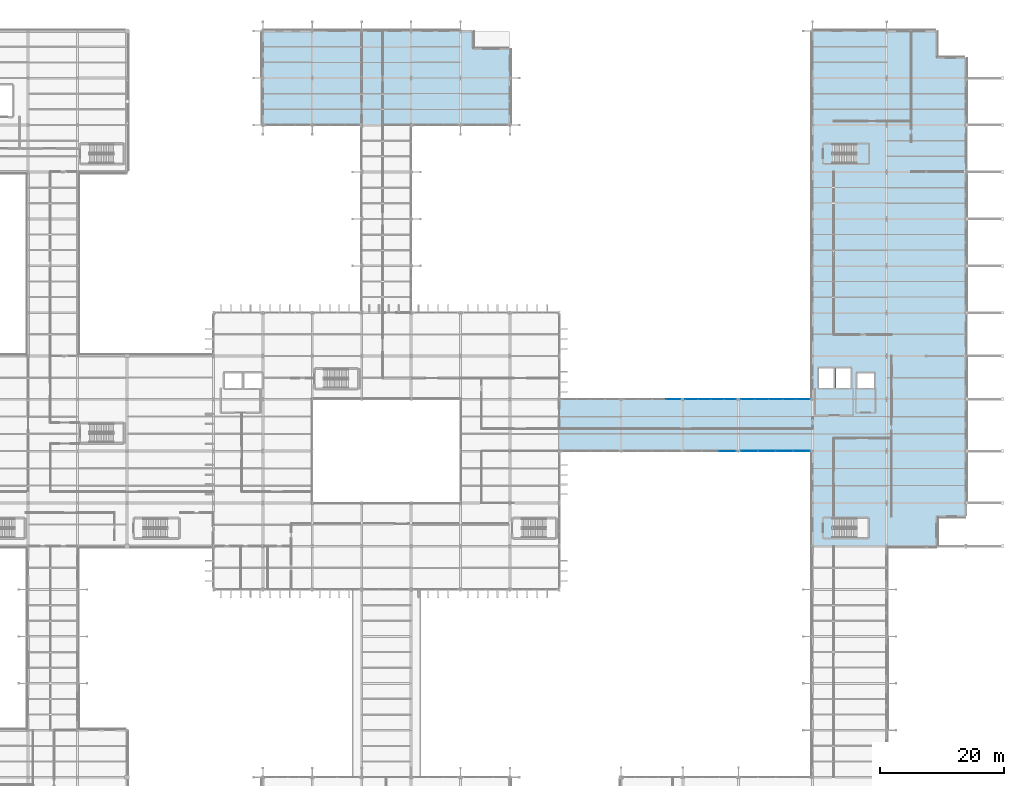
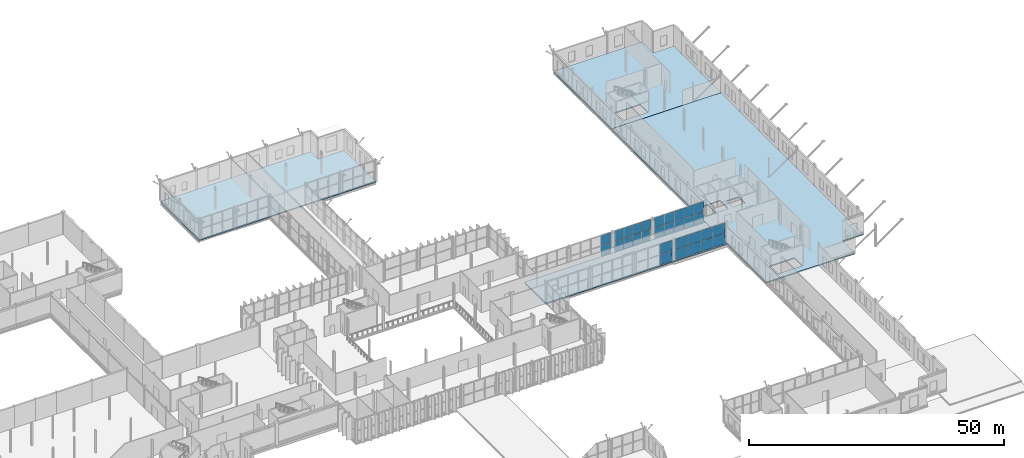
# One storey, part 106 of 147: 30 plates, 5 slabs, 6 elements without a shape of their own.
"""IFC4 building model written with IfcOpenShell, lengths in metres."""

from ifc_helpers import new_model, si_unit, direction, frame, origin, origin_2d, place, context, subcontext, project, spatial, polyline, rectangle, outline, extrude, material, layer, layer_set, type_object, element, aggregate, save


model = new_model("IFC4")

# Units and contexts
model_context = context("Model", 3, precision=1e-05, world=origin(), true_north=direction((0.0, 1.0)))
body_context = subcontext(model_context, "Body", "Model", "MODEL_VIEW")
ifc_project = project(units=[si_unit("LENGTHUNIT", "METRE"), si_unit("AREAUNIT", "SQUARE_METRE"), si_unit("VOLUMEUNIT", "CUBIC_METRE"), si_unit("PLANEANGLEUNIT", "RADIAN"), si_unit("MASSUNIT", "GRAM", prefix="KILO")], contexts=[model_context])

# Site, building, storey
site_placement = place(None, origin())
site = spatial("IfcSite", under=ifc_project, at=site_placement, CompositionType="ELEMENT")
building_placement = place(site_placement, origin())
building = spatial("IfcBuilding", under=site, at=building_placement, Name="Vekula Escarpment Museum", CompositionType="ELEMENT")
storey_placement = place(building_placement, frame((0.0, 0.0, 7.800048828125)))
storey = spatial("IfcBuildingStorey", under=building, at=storey_placement, Name="L02", CompositionType="ELEMENT", Elevation=7.800048828125)

# Curtain wall, plates
ifc_material_1 = material(Name="Aluminium thermally broken framing", Category="aluminium")
ifc_layer_1 = layer(ifc_material_1, 0.159912109375)
ifc_layer_set_1 = layer_set([ifc_layer_1], Name="Aluminium thermally broken framing")
curtain_wall_type_1 = type_object("IfcCurtainWallType", Name="CW-SYS-02", PredefinedType="NOTDEFINED", material=ifc_layer_set_1)
curtain_wall_1_placement = place(storey_placement, origin())
curtain_wall_1 = element("IfcCurtainWall", 1, at=curtain_wall_1_placement, inside=storey, type_object=curtain_wall_type_1, Name="Curtain Wall CW-L02-072", PredefinedType="NOTDEFINED")
ifc_material_2 = material(Name="Double solar-control low-E glass", Category="glass")
ifc_layer_2 = layer(ifc_material_2, 0.028076171875)
ifc_layer_set_2 = layer_set([ifc_layer_2], Name="Double solar-control low-E glass")
plate_type_1 = type_object("IfcPlateType", Name="CW-PNL-28", PredefinedType="CURTAIN_PANEL", material=ifc_layer_set_2)
plate_1_placement = place(storey_placement, frame((144.4638671875, 76.39990234375, 0.06494140625), z_axis=(0.0, 0.0, 1.0), x_axis=(-1.0, 0.0, 0.0)))
plate_1 = element("IfcPlate", 2, at=plate_1_placement, type_object=plate_type_1, Name="CW-02 panel 1.1", PredefinedType="CURTAIN_PANEL", context=body_context, shape_type="SweptSolid", body=[
    extrude(rectangle(XDim=2.222412109375, YDim=0.028076171875, at=origin_2d()), origin(), (0.0, 0.0, 1.0), 2.4775390625),
])
plate_2_placement = place(storey_placement, frame((144.4638671875, 76.39990234375, 2.607421875), z_axis=(0.0, 0.0, 1.0), x_axis=(-1.0, 0.0, 0.0)))
plate_2 = element("IfcPlate", 3, at=plate_2_placement, type_object=plate_type_1, Name="CW-02 panel 1.2", PredefinedType="CURTAIN_PANEL", context=body_context, shape_type="SweptSolid", body=[
    extrude(rectangle(XDim=2.222412109375, YDim=0.028076171875, at=origin_2d()), origin(), (0.0, 0.0, 1.0), 2.4775390625),
])
aggregate(curtain_wall_1, [plate_1, plate_2])

ifc_material_3 = material(Name="Aluminium thermally broken framing", Category="aluminium")
ifc_layer_3 = layer(ifc_material_3, 0.159912109375)
ifc_layer_set_3 = layer_set([ifc_layer_3], Name="Aluminium thermally broken framing")
curtain_wall_type_2 = type_object("IfcCurtainWallType", Name="CW-SYS-05", PredefinedType="NOTDEFINED", material=ifc_layer_set_3)
curtain_wall_2_placement = place(storey_placement, origin())
curtain_wall_2 = element("IfcCurtainWall", 4, at=curtain_wall_2_placement, inside=storey, type_object=curtain_wall_type_2, Name="Curtain Wall CW-L02-065", PredefinedType="NOTDEFINED")
ifc_material_4 = material(Name="Acoustic laminated double low-E glass", Category="glass")
ifc_layer_4 = layer(ifc_material_4, 0.031982421875)
ifc_layer_set_4 = layer_set([ifc_layer_4], Name="Acoustic laminated double low-E glass")
plate_type_2 = type_object("IfcPlateType", Name="CW-PNL-32", PredefinedType="CURTAIN_PANEL", material=ifc_layer_set_4)
plate_3_placement = place(storey_placement, frame((153.24365234375, 68.0, 0.06494140625), z_axis=(0.0, 0.0, 1.0), x_axis=(1.0, 0.0, 0.0)))
plate_3 = element("IfcPlate", 5, at=plate_3_placement, type_object=plate_type_2, Name="CW-05 panel 3.1", PredefinedType="CURTAIN_PANEL", context=body_context, shape_type="SweptSolid", body=[
    extrude(rectangle(XDim=2.66259765625, YDim=0.031982421875, at=origin_2d()), origin(), (0.0, 0.0, 1.0), 2.4775390625),
])
plate_4_placement = place(storey_placement, frame((153.24365234375, 68.0, 2.607421875), z_axis=(0.0, 0.0, 1.0), x_axis=(1.0, 0.0, 0.0)))
plate_4 = element("IfcPlate", 6, at=plate_4_placement, type_object=plate_type_2, Name="CW-05 panel 3.2", PredefinedType="CURTAIN_PANEL", context=body_context, shape_type="SweptSolid", body=[
    extrude(rectangle(XDim=2.66259765625, YDim=0.031982421875, at=origin_2d()), origin(), (0.0, 0.0, 1.0), 2.4775390625),
])
aggregate(curtain_wall_2, [plate_3, plate_4])

ifc_material_5 = material(Name="Aluminium thermally broken framing", Category="aluminium")
ifc_layer_5 = layer(ifc_material_5, 0.139892578125)
ifc_layer_set_5 = layer_set([ifc_layer_5], Name="Aluminium thermally broken framing")
curtain_wall_type_3 = type_object("IfcCurtainWallType", Name="CW-SYS-06", PredefinedType="NOTDEFINED", material=ifc_layer_set_5)
curtain_wall_3_placement = place(storey_placement, origin())
curtain_wall_3 = element("IfcCurtainWall", 7, at=curtain_wall_3_placement, inside=storey, type_object=curtain_wall_type_3, Name="Curtain Wall CW-L02-066", PredefinedType="NOTDEFINED")
ifc_material_6 = material(Name="Triple UV-filtered museum gallery glass", Category="glass")
ifc_layer_6 = layer(ifc_material_6, 0.035888671875)
ifc_layer_set_6 = layer_set([ifc_layer_6], Name="Triple UV-filtered museum gallery glass")
plate_type_3 = type_object("IfcPlateType", Name="CW-PNL-36", PredefinedType="CURTAIN_PANEL", material=ifc_layer_set_6)
plate_5_placement = place(storey_placement, frame((156.7861328125, 68.0, 0.06494140625), z_axis=(0.0, 0.0, 1.0), x_axis=(1.0, 0.0, 0.0)))
plate_5 = element("IfcPlate", 8, at=plate_5_placement, type_object=plate_type_3, Name="CW-06 panel 1.1", PredefinedType="CURTAIN_PANEL", context=body_context, shape_type="SweptSolid", body=[
    extrude(rectangle(XDim=2.722412109375, YDim=0.035888671875, at=origin_2d()), origin(), (0.0, 0.0, 1.0), 2.4775390625),
])
plate_6_placement = place(storey_placement, frame((156.7861328125, 68.0, 2.607421875), z_axis=(0.0, 0.0, 1.0), x_axis=(1.0, 0.0, 0.0)))
plate_6 = element("IfcPlate", 9, at=plate_6_placement, type_object=plate_type_3, Name="CW-06 panel 1.2", PredefinedType="CURTAIN_PANEL", context=body_context, shape_type="SweptSolid", body=[
    extrude(rectangle(XDim=2.722412109375, YDim=0.035888671875, at=origin_2d()), origin(), (0.0, 0.0, 1.0), 2.4775390625),
])
plate_7_placement = place(storey_placement, frame((159.590087890625, 68.0, 0.06494140625), z_axis=(0.0, 0.0, 1.0), x_axis=(1.0, 0.0, 0.0)))
plate_7 = element("IfcPlate", 10, at=plate_7_placement, type_object=plate_type_3, Name="CW-06 panel 2.1", PredefinedType="CURTAIN_PANEL", context=body_context, shape_type="SweptSolid", body=[
    extrude(rectangle(XDim=2.7548828125, YDim=0.035888671875, at=origin_2d()), origin(), (0.0, 0.0, 1.0), 2.4775390625),
])
plate_8_placement = place(storey_placement, frame((159.590087890625, 68.0, 2.607421875), z_axis=(0.0, 0.0, 1.0), x_axis=(1.0, 0.0, 0.0)))
plate_8 = element("IfcPlate", 11, at=plate_8_placement, type_object=plate_type_3, Name="CW-06 panel 2.2", PredefinedType="CURTAIN_PANEL", context=body_context, shape_type="SweptSolid", body=[
    extrude(rectangle(XDim=2.7548828125, YDim=0.035888671875, at=origin_2d()), origin(), (0.0, 0.0, 1.0), 2.4775390625),
])
plate_9_placement = place(storey_placement, frame((162.409912109375, 68.0, 0.06494140625), z_axis=(0.0, 0.0, 1.0), x_axis=(1.0, 0.0, 0.0)))
plate_9 = element("IfcPlate", 12, at=plate_9_placement, type_object=plate_type_3, Name="CW-06 panel 3.1", PredefinedType="CURTAIN_PANEL", context=body_context, shape_type="SweptSolid", body=[
    extrude(rectangle(XDim=2.7548828125, YDim=0.035888671875, at=origin_2d()), origin(), (0.0, 0.0, 1.0), 2.4775390625),
])
plate_10_placement = place(storey_placement, frame((162.409912109375, 68.0, 2.607421875), z_axis=(0.0, 0.0, 1.0), x_axis=(1.0, 0.0, 0.0)))
plate_10 = element("IfcPlate", 13, at=plate_10_placement, type_object=plate_type_3, Name="CW-06 panel 3.2", PredefinedType="CURTAIN_PANEL", context=body_context, shape_type="SweptSolid", body=[
    extrude(rectangle(XDim=2.7548828125, YDim=0.035888671875, at=origin_2d()), origin(), (0.0, 0.0, 1.0), 2.4775390625),
])
plate_11_placement = place(storey_placement, frame((165.2138671875, 68.0, 0.06494140625), z_axis=(0.0, 0.0, 1.0), x_axis=(1.0, 0.0, 0.0)))
plate_11 = element("IfcPlate", 14, at=plate_11_placement, type_object=plate_type_3, Name="CW-06 panel 4.1", PredefinedType="CURTAIN_PANEL", context=body_context, shape_type="SweptSolid", body=[
    extrude(rectangle(XDim=2.722412109375, YDim=0.035888671875, at=origin_2d()), origin(), (0.0, 0.0, 1.0), 2.4775390625),
])
plate_12_placement = place(storey_placement, frame((165.2138671875, 68.0, 2.607421875), z_axis=(0.0, 0.0, 1.0), x_axis=(1.0, 0.0, 0.0)))
plate_12 = element("IfcPlate", 15, at=plate_12_placement, type_object=plate_type_3, Name="CW-06 panel 4.2", PredefinedType="CURTAIN_PANEL", context=body_context, shape_type="SweptSolid", body=[
    extrude(rectangle(XDim=2.722412109375, YDim=0.035888671875, at=origin_2d()), origin(), (0.0, 0.0, 1.0), 2.4775390625),
])
aggregate(curtain_wall_3, [plate_5, plate_6, plate_7, plate_8, plate_9, plate_10, plate_11, plate_12])

ifc_material_7 = material(Name="Aluminium thermally broken framing", Category="aluminium")
ifc_layer_7 = layer(ifc_material_7, 0.169921875)
ifc_layer_set_7 = layer_set([ifc_layer_7], Name="Aluminium thermally broken framing")
curtain_wall_type_4 = type_object("IfcCurtainWallType", Name="CW-SYS-10", PredefinedType="NOTDEFINED", material=ifc_layer_set_7)
curtain_wall_4_placement = place(storey_placement, origin())
curtain_wall_4 = element("IfcCurtainWall", 16, at=curtain_wall_4_placement, inside=storey, type_object=curtain_wall_type_4, Name="Curtain Wall CW-L02-070", PredefinedType="NOTDEFINED")
plate_13_placement = place(storey_placement, frame((165.495849609375, 76.39990234375, 0.06494140625), z_axis=(0.0, 0.0, 1.0), x_axis=(-1.0, 0.0, 0.0)))
plate_13 = element("IfcPlate", 17, at=plate_13_placement, type_object=plate_type_3, Name="CW-10 panel 1.1", PredefinedType="CURTAIN_PANEL", context=body_context, shape_type="SweptSolid", body=[
    extrude(rectangle(XDim=2.158447265625, YDim=0.035888671875, at=origin_2d()), origin(), (0.0, 0.0, 1.0), 2.4775390625),
])
plate_14_placement = place(storey_placement, frame((165.495849609375, 76.39990234375, 2.607421875), z_axis=(0.0, 0.0, 1.0), x_axis=(-1.0, 0.0, 0.0)))
plate_14 = element("IfcPlate", 18, at=plate_14_placement, type_object=plate_type_3, Name="CW-10 panel 1.2", PredefinedType="CURTAIN_PANEL", context=body_context, shape_type="SweptSolid", body=[
    extrude(rectangle(XDim=2.158447265625, YDim=0.035888671875, at=origin_2d()), origin(), (0.0, 0.0, 1.0), 2.4775390625),
])
plate_15_placement = place(storey_placement, frame((163.256103515625, 76.39990234375, 0.06494140625), z_axis=(0.0, 0.0, 1.0), x_axis=(-1.0, 0.0, 0.0)))
plate_15 = element("IfcPlate", 19, at=plate_15_placement, type_object=plate_type_3, Name="CW-10 panel 2.1", PredefinedType="CURTAIN_PANEL", context=body_context, shape_type="SweptSolid", body=[
    extrude(rectangle(XDim=2.19091796875, YDim=0.035888671875, at=origin_2d()), origin(), (0.0, 0.0, 1.0), 2.4775390625),
])
plate_16_placement = place(storey_placement, frame((163.256103515625, 76.39990234375, 2.607421875), z_axis=(0.0, 0.0, 1.0), x_axis=(-1.0, 0.0, 0.0)))
plate_16 = element("IfcPlate", 20, at=plate_16_placement, type_object=plate_type_3, Name="CW-10 panel 2.2", PredefinedType="CURTAIN_PANEL", context=body_context, shape_type="SweptSolid", body=[
    extrude(rectangle(XDim=2.19091796875, YDim=0.035888671875, at=origin_2d()), origin(), (0.0, 0.0, 1.0), 2.4775390625),
])
plate_17_placement = place(storey_placement, frame((161.0, 76.39990234375, 0.06494140625), z_axis=(0.0, 0.0, 1.0), x_axis=(-1.0, 0.0, 0.0)))
plate_17 = element("IfcPlate", 21, at=plate_17_placement, type_object=plate_type_3, Name="CW-10 panel 3.1", PredefinedType="CURTAIN_PANEL", context=body_context, shape_type="SweptSolid", body=[
    extrude(rectangle(XDim=2.19091796875, YDim=0.035888671875, at=origin_2d()), origin(), (0.0, 0.0, 1.0), 2.4775390625),
])
plate_18_placement = place(storey_placement, frame((161.0, 76.39990234375, 2.607421875), z_axis=(0.0, 0.0, 1.0), x_axis=(-1.0, 0.0, 0.0)))
plate_18 = element("IfcPlate", 22, at=plate_18_placement, type_object=plate_type_3, Name="CW-10 panel 3.2", PredefinedType="CURTAIN_PANEL", context=body_context, shape_type="SweptSolid", body=[
    extrude(rectangle(XDim=2.19091796875, YDim=0.035888671875, at=origin_2d()), origin(), (0.0, 0.0, 1.0), 2.4775390625),
])
plate_19_placement = place(storey_placement, frame((158.743896484375, 76.39990234375, 0.06494140625), z_axis=(0.0, 0.0, 1.0), x_axis=(-1.0, 0.0, 0.0)))
plate_19 = element("IfcPlate", 23, at=plate_19_placement, type_object=plate_type_3, Name="CW-10 panel 4.1", PredefinedType="CURTAIN_PANEL", context=body_context, shape_type="SweptSolid", body=[
    extrude(rectangle(XDim=2.19091796875, YDim=0.035888671875, at=origin_2d()), origin(), (0.0, 0.0, 1.0), 2.4775390625),
])
plate_20_placement = place(storey_placement, frame((158.743896484375, 76.39990234375, 2.607421875), z_axis=(0.0, 0.0, 1.0), x_axis=(-1.0, 0.0, 0.0)))
plate_20 = element("IfcPlate", 24, at=plate_20_placement, type_object=plate_type_3, Name="CW-10 panel 4.2", PredefinedType="CURTAIN_PANEL", context=body_context, shape_type="SweptSolid", body=[
    extrude(rectangle(XDim=2.19091796875, YDim=0.035888671875, at=origin_2d()), origin(), (0.0, 0.0, 1.0), 2.4775390625),
])
plate_21_placement = place(storey_placement, frame((156.504150390625, 76.39990234375, 0.06494140625), z_axis=(0.0, 0.0, 1.0), x_axis=(-1.0, 0.0, 0.0)))
plate_21 = element("IfcPlate", 25, at=plate_21_placement, type_object=plate_type_3, Name="CW-10 panel 5.1", PredefinedType="CURTAIN_PANEL", context=body_context, shape_type="SweptSolid", body=[
    extrude(rectangle(XDim=2.158447265625, YDim=0.035888671875, at=origin_2d()), origin(), (0.0, 0.0, 1.0), 2.4775390625),
])
plate_22_placement = place(storey_placement, frame((156.504150390625, 76.39990234375, 2.607421875), z_axis=(0.0, 0.0, 1.0), x_axis=(-1.0, 0.0, 0.0)))
plate_22 = element("IfcPlate", 26, at=plate_22_placement, type_object=plate_type_3, Name="CW-10 panel 5.2", PredefinedType="CURTAIN_PANEL", context=body_context, shape_type="SweptSolid", body=[
    extrude(rectangle(XDim=2.158447265625, YDim=0.035888671875, at=origin_2d()), origin(), (0.0, 0.0, 1.0), 2.4775390625),
])
aggregate(curtain_wall_4, [plate_13, plate_14, plate_15, plate_16, plate_17, plate_18, plate_19, plate_20, plate_21, plate_22])

ifc_material_8 = material(Name="Aluminium thermally broken framing", Category="aluminium")
ifc_layer_8 = layer(ifc_material_8, 0.159912109375)
ifc_layer_set_8 = layer_set([ifc_layer_8], Name="Aluminium thermally broken framing")
curtain_wall_type_5 = type_object("IfcCurtainWallType", Name="CW-SYS-01", PredefinedType="NOTDEFINED", material=ifc_layer_set_8)
curtain_wall_5_placement = place(storey_placement, origin())
curtain_wall_5 = element("IfcCurtainWall", 27, at=curtain_wall_5_placement, inside=storey, type_object=curtain_wall_type_5, Name="Curtain Wall CW-L02-071", PredefinedType="NOTDEFINED")
ifc_material_9 = material(Name="Insulated bronze spandrel glass panel", Category="glass")
ifc_layer_9 = layer(ifc_material_9, 0.0400390625)
ifc_layer_set_9 = layer_set([ifc_layer_9], Name="Insulated bronze spandrel glass panel")
plate_type_4 = type_object("IfcPlateType", Name="CW-PNL-40", PredefinedType="CURTAIN_PANEL", material=ifc_layer_set_9)
plate_23_placement = place(storey_placement, frame((153.5888671875, 76.39990234375, 0.06494140625), z_axis=(0.0, 0.0, 1.0), x_axis=(-1.0, 0.0, 0.0)))
plate_23 = element("IfcPlate", 28, at=plate_23_placement, type_object=plate_type_4, Name="CW-01 panel 1.1", PredefinedType="CURTAIN_PANEL", context=body_context, shape_type="SweptSolid", body=[
    extrude(rectangle(XDim=1.972412109375, YDim=0.0400390625, at=origin_2d()), origin(), (0.0, 0.0, 1.0), 2.4775390625),
])
plate_24_placement = place(storey_placement, frame((153.5888671875, 76.39990234375, 2.607421875), z_axis=(0.0, 0.0, 1.0), x_axis=(-1.0, 0.0, 0.0)))
plate_24 = element("IfcPlate", 29, at=plate_24_placement, type_object=plate_type_4, Name="CW-01 panel 1.2", PredefinedType="CURTAIN_PANEL", context=body_context, shape_type="SweptSolid", body=[
    extrude(rectangle(XDim=1.972412109375, YDim=0.0400390625, at=origin_2d()), origin(), (0.0, 0.0, 1.0), 2.4775390625),
])
plate_25_placement = place(storey_placement, frame((151.534912109375, 76.39990234375, 0.06494140625), z_axis=(0.0, 0.0, 1.0), x_axis=(-1.0, 0.0, 0.0)))
plate_25 = element("IfcPlate", 30, at=plate_25_placement, type_object=plate_type_4, Name="CW-01 panel 2.1", PredefinedType="CURTAIN_PANEL", context=body_context, shape_type="SweptSolid", body=[
    extrude(rectangle(XDim=2.0048828125, YDim=0.0400390625, at=origin_2d()), origin(), (0.0, 0.0, 1.0), 2.4775390625),
])
plate_26_placement = place(storey_placement, frame((151.534912109375, 76.39990234375, 2.607421875), z_axis=(0.0, 0.0, 1.0), x_axis=(-1.0, 0.0, 0.0)))
plate_26 = element("IfcPlate", 31, at=plate_26_placement, type_object=plate_type_4, Name="CW-01 panel 2.2", PredefinedType="CURTAIN_PANEL", context=body_context, shape_type="SweptSolid", body=[
    extrude(rectangle(XDim=2.0048828125, YDim=0.0400390625, at=origin_2d()), origin(), (0.0, 0.0, 1.0), 2.4775390625),
])
plate_27_placement = place(storey_placement, frame((149.465087890625, 76.39990234375, 0.06494140625), z_axis=(0.0, 0.0, 1.0), x_axis=(-1.0, 0.0, 0.0)))
plate_27 = element("IfcPlate", 32, at=plate_27_placement, type_object=plate_type_4, Name="CW-01 panel 3.1", PredefinedType="CURTAIN_PANEL", context=body_context, shape_type="SweptSolid", body=[
    extrude(rectangle(XDim=2.0048828125, YDim=0.0400390625, at=origin_2d()), origin(), (0.0, 0.0, 1.0), 2.4775390625),
])
plate_28_placement = place(storey_placement, frame((149.465087890625, 76.39990234375, 2.607421875), z_axis=(0.0, 0.0, 1.0), x_axis=(-1.0, 0.0, 0.0)))
plate_28 = element("IfcPlate", 33, at=plate_28_placement, type_object=plate_type_4, Name="CW-01 panel 3.2", PredefinedType="CURTAIN_PANEL", context=body_context, shape_type="SweptSolid", body=[
    extrude(rectangle(XDim=2.0048828125, YDim=0.0400390625, at=origin_2d()), origin(), (0.0, 0.0, 1.0), 2.4775390625),
])
plate_29_placement = place(storey_placement, frame((147.4111328125, 76.39990234375, 0.06494140625), z_axis=(0.0, 0.0, 1.0), x_axis=(-1.0, 0.0, 0.0)))
plate_29 = element("IfcPlate", 34, at=plate_29_placement, type_object=plate_type_4, Name="CW-01 panel 4.1", PredefinedType="CURTAIN_PANEL", context=body_context, shape_type="SweptSolid", body=[
    extrude(rectangle(XDim=1.972412109375, YDim=0.0400390625, at=origin_2d()), origin(), (0.0, 0.0, 1.0), 2.4775390625),
])
plate_30_placement = place(storey_placement, frame((147.4111328125, 76.39990234375, 2.607421875), z_axis=(0.0, 0.0, 1.0), x_axis=(-1.0, 0.0, 0.0)))
plate_30 = element("IfcPlate", 35, at=plate_30_placement, type_object=plate_type_4, Name="CW-01 panel 4.2", PredefinedType="CURTAIN_PANEL", context=body_context, shape_type="SweptSolid", body=[
    extrude(rectangle(XDim=1.972412109375, YDim=0.0400390625, at=origin_2d()), origin(), (0.0, 0.0, 1.0), 2.4775390625),
])
aggregate(curtain_wall_5, [plate_23, plate_24, plate_25, plate_26, plate_27, plate_28, plate_29, plate_30])

# Slabs
ifc_material_10 = material(Name="Concrete C35/45", Category="concrete")
ifc_layer_10 = layer(ifc_material_10, 0.260009765625)
ifc_layer_set_10 = layer_set([ifc_layer_10], Name="Concrete C35/45")
slab_type_1 = type_object("IfcSlabType", Name="SL-FLR-260", PredefinedType="FLOOR", material=ifc_layer_set_10)
slab_1_placement = place(storey_placement, frame((0.0, 0.0, -0.260009765625)))
element("IfcSlab", 36, at=slab_1_placement, inside=storey, type_object=slab_type_1, Name="Floor Slab W-L02-V2-N", PredefinedType="FLOOR", context=body_context, shape_type="SweptSolid", body=[
    extrude(outline(polyline([(78.0, 120.800048828125), (118.0, 120.800048828125), (118.0, 133.112060546875), (112.0, 133.112060546875), (112.0, 136.0), (78.0, 136.0), (78.0, 120.800048828125)])), origin(), (0.0, 0.0, 1.0), 0.260009765625),
])
slab_2_placement = place(storey_placement, frame((0.0, 0.0, -0.260009765625)))
element("IfcSlab", 37, at=slab_2_placement, inside=storey, type_object=slab_type_1, Name="Floor Slab W-L02-V3-NE", PredefinedType="FLOOR", context=body_context, shape_type="SweptSolid", body=[
    extrude(outline(polyline([(167.0, 113.199951171875), (191.800048828125, 113.199951171875), (191.800048828125, 131.66796875), (187.087890625, 131.66796875), (187.087890625, 136.0), (167.0, 136.0), (167.0, 113.199951171875)]), holes=[polyline([(170.31005859375, 114.60009765625), (176.0, 114.60009765625), (176.0, 117.699951171875), (170.31005859375, 117.699951171875), (170.31005859375, 114.60009765625)])]), origin(), (0.0, 0.0, 1.0), 0.260009765625),
])
slab_3_placement = place(storey_placement, frame((0.0, 0.0, -0.260009765625)))
element("IfcSlab", 38, at=slab_3_placement, inside=storey, type_object=slab_type_1, Name="Floor Slab W-L02-V3-ELK", PredefinedType="FLOOR", context=body_context, shape_type="SweptSolid", body=[
    extrude(outline(polyline([(126.0, 68.0), (167.0, 68.0), (167.0, 76.39990234375), (126.0, 76.39990234375), (126.0, 68.0)])), origin(), (0.0, 0.0, 1.0), 0.260009765625),
])
slab_4_placement = place(storey_placement, frame((0.0, 0.0, -0.260009765625)))
element("IfcSlab", 39, at=slab_4_placement, inside=storey, type_object=slab_type_1, Name="Floor Slab W-L02-V3-E", PredefinedType="FLOOR", context=body_context, shape_type="SweptSolid", body=[
    extrude(outline(polyline([(167.0, 52.60009765625), (187.087890625, 52.60009765625), (187.087890625, 57.39990234375), (191.800048828125, 57.39990234375), (191.800048828125, 113.199951171875), (167.0, 113.199951171875), (167.0, 52.60009765625)]), holes=[polyline([(170.31005859375, 54.0), (176.0, 54.0), (176.0, 57.10009765625), (170.31005859375, 57.10009765625), (170.31005859375, 54.0)]), polyline([(168.0, 78.199951171875), (170.39990234375, 78.199951171875), (170.39990234375, 81.39990234375), (168.0, 81.39990234375), (168.0, 78.199951171875)]), polyline([(170.800048828125, 78.199951171875), (173.199951171875, 78.199951171875), (173.199951171875, 81.39990234375), (170.800048828125, 81.39990234375), (170.800048828125, 78.199951171875)]), polyline([(174.199951171875, 78.199951171875), (177.0, 78.199951171875), (177.0, 80.60009765625), (174.199951171875, 80.60009765625), (174.199951171875, 78.199951171875)])]), origin(), (0.0, 0.0, 1.0), 0.260009765625),
])

# Stair, slab
ifc_material_11 = material(Name="Concrete C35/45", Category="concrete")
stair_type = type_object("IfcStairType", Name="STR-TYPE-145", PredefinedType="HALF_TURN_STAIR", material=ifc_material_11)
stair_placement = place(storey_placement, origin())
stair = element("IfcStair", 40, at=stair_placement, inside=storey, type_object=stair_type, Name="L02 Northeast Cumba Exit Stair ST-05", PredefinedType="HALF_TURN_STAIR")
ifc_material_12 = material(Name="Concrete C35/45", Category="concrete")
ifc_layer_11 = layer(ifc_material_12, 0.199951171875)
ifc_layer_set_11 = layer_set([ifc_layer_11], Name="Concrete C35/45")
slab_type_2 = type_object("IfcSlabType", Name="SL-LAND-200", PredefinedType="LANDING", material=ifc_layer_set_11)
slab_5_placement = place(storey_placement, frame((0.0, 0.0, 2.5)))
slab_5 = element("IfcSlab", 41, at=slab_5_placement, type_object=slab_type_2, Name="ST-05 landing 1", PredefinedType="LANDING", context=body_context, shape_type="SweptSolid", body=[
    extrude(outline(polyline([(174.080078125, 114.510009765625), (176.090087890625, 114.510009765625), (176.090087890625, 117.7900390625), (174.080078125, 117.7900390625), (174.080078125, 114.510009765625)])), origin(), (0.0, 0.0, 1.0), 0.199951171875),
])
aggregate(stair, [slab_5])

save(model, "model.ifc")
